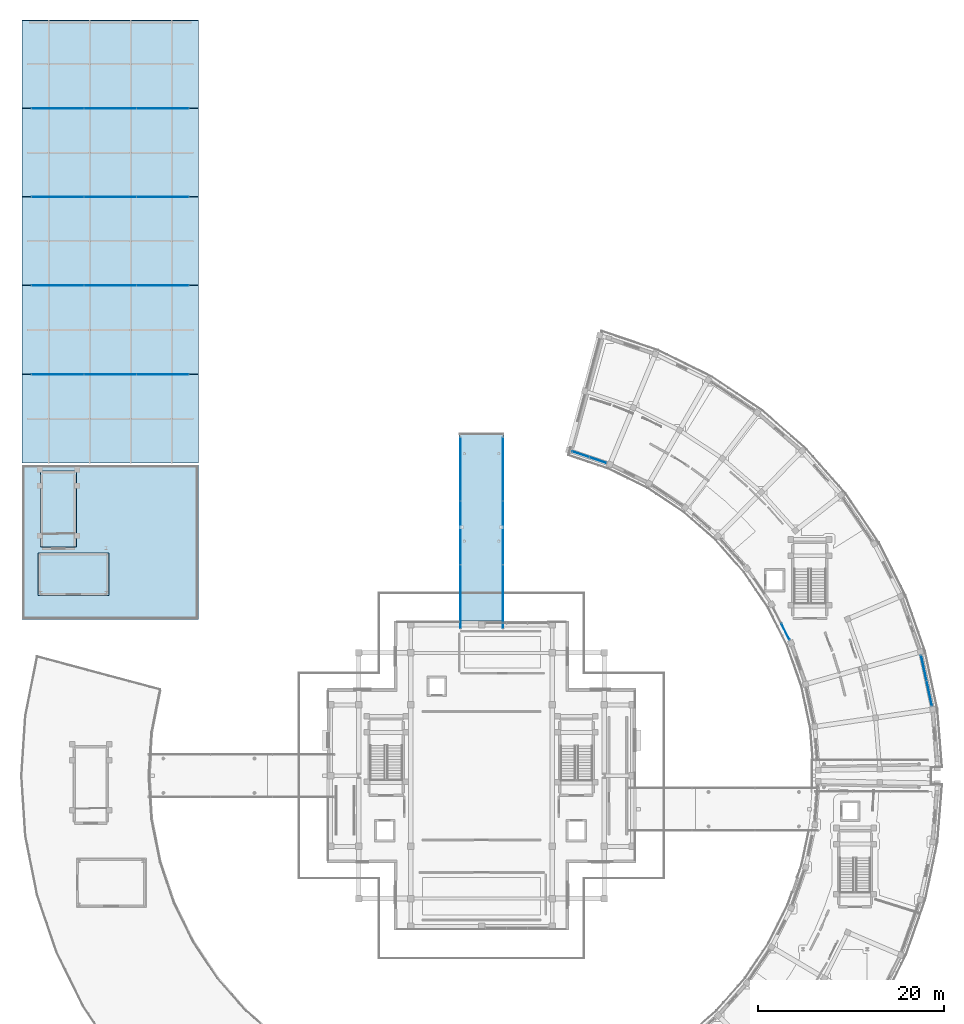
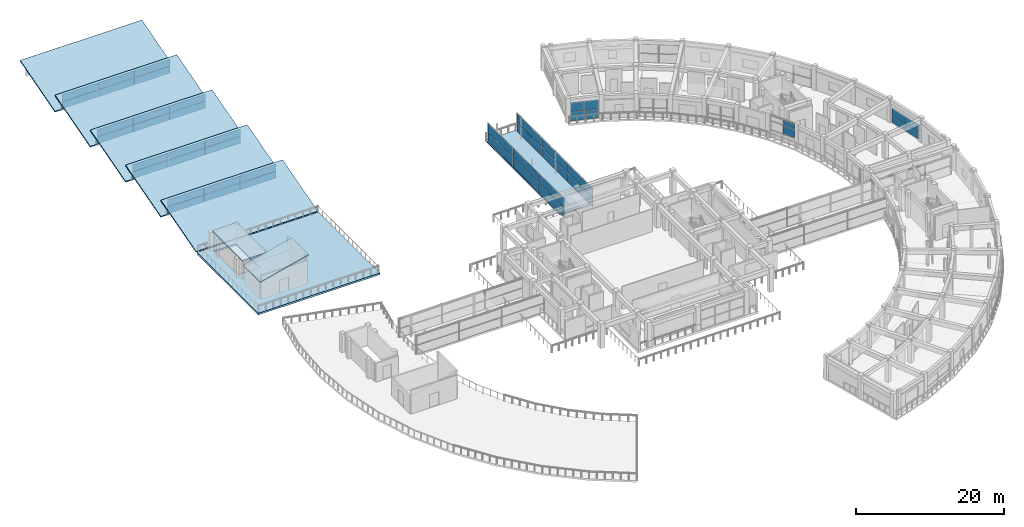
# One storey, part 30 of 53: 46 plates, 9 slabs, 9 elements without a shape of their own.
"""IFC4 building model written with IfcOpenShell, lengths in metres."""

from ifc_helpers import new_model, si_unit, direction, frame, origin, origin_2d, place, context, subcontext, project, spatial, polyline, rectangle, outline, extrude, material, layer, layer_set, type_object, element, aggregate, save


model = new_model("IFC4")

# Units and contexts
model_context = context("Model", 3, precision=1e-05, world=origin(), true_north=direction((0.0, 1.0)))
body_context = subcontext(model_context, "Body", "Model", "MODEL_VIEW")
ifc_project = project(units=[si_unit("LENGTHUNIT", "METRE"), si_unit("AREAUNIT", "SQUARE_METRE"), si_unit("VOLUMEUNIT", "CUBIC_METRE"), si_unit("PLANEANGLEUNIT", "RADIAN"), si_unit("MASSUNIT", "GRAM", prefix="KILO")], contexts=[model_context])

# Site, building, storey
site_placement = place(None, origin())
site = spatial("IfcSite", under=ifc_project, at=site_placement, CompositionType="ELEMENT")
building_placement = place(site_placement, origin())
building = spatial("IfcBuilding", under=site, at=building_placement, Name="Saryqyr Civic Hall", CompositionType="ELEMENT")
storey_placement = place(building_placement, frame((0.0, 0.0, 21.300048828125)))
storey = spatial("IfcBuildingStorey", under=building, at=storey_placement, Name="L05", CompositionType="ELEMENT", Elevation=21.300048828125)

# Curtain wall, plates
ifc_material_1 = material(Name="Anodised aluminium and triple low-E glass", Category="aluminium")
curtain_wall_type_1 = type_object("IfcCurtainWallType", Name="ENV-CW-STD-03", PredefinedType="NOTDEFINED", material=ifc_material_1)
curtain_wall_1_placement = place(storey_placement, origin())
curtain_wall_1 = element("IfcCurtainWall", 1, at=curtain_wall_1_placement, inside=storey, type_object=curtain_wall_type_1, Name="Curtain wall V6-CWO-L05-01", PredefinedType="NOTDEFINED")
ifc_material_2 = material(Name="Triple low-E insulated glazing", Category="glass")
ifc_layer_1 = layer(ifc_material_2, 0.053955078125, Name="Triple low-E insulated glazing")
ifc_layer_set_1 = layer_set([ifc_layer_1], Name="Triple low-E insulated glazing")
plate_type = type_object("IfcPlateType", Name="ENV-CW-PNL-38", PredefinedType="CURTAIN_PANEL", material=ifc_layer_set_1)
plate_1_placement = place(storey_placement, frame((104.52783203125, 95.576904296875, 0.06005859375), z_axis=(0.0, 0.0, 1.0), x_axis=(0.208908324386, -0.97793522894, 0.0)))
plate_1 = element("IfcPlate", 2, at=plate_1_placement, type_object=plate_type, Name="CW-03 panel 1.1", PredefinedType="CURTAIN_PANEL", context=body_context, shape_type="SweptSolid", body=[
    extrude(rectangle(XDim=2.7265625, YDim=0.053955078125, at=origin_2d()), origin(), (0.0, 0.0, 1.0), 1.135009765625),
])
plate_2_placement = place(storey_placement, frame((104.52783203125, 95.576904296875, 1.2548828125), z_axis=(0.0, 0.0, 1.0), x_axis=(0.208908324386, -0.97793522894, 0.0)))
plate_2 = element("IfcPlate", 3, at=plate_2_placement, type_object=plate_type, Name="CW-03 panel 1.2", PredefinedType="CURTAIN_PANEL", context=body_context, shape_type="SweptSolid", body=[
    extrude(rectangle(XDim=2.7265625, YDim=0.053955078125, at=origin_2d()), origin(), (0.0, 0.0, 1.0), 1.135009765625),
])
plate_3_placement = place(storey_placement, frame((105.110107421875, 92.851806640625, 0.06005859375), z_axis=(0.0, 0.0, 1.0), x_axis=(0.208908324386, -0.97793522894, 0.0)))
plate_3 = element("IfcPlate", 4, at=plate_3_placement, type_object=plate_type, Name="CW-03 panel 2.1", PredefinedType="CURTAIN_PANEL", context=body_context, shape_type="SweptSolid", body=[
    extrude(rectangle(XDim=2.7265625, YDim=0.053955078125, at=origin_2d()), origin(), (0.0, 0.0, 1.0), 1.135009765625),
])
plate_4_placement = place(storey_placement, frame((105.110107421875, 92.851806640625, 1.2548828125), z_axis=(0.0, 0.0, 1.0), x_axis=(0.208908324386, -0.97793522894, 0.0)))
plate_4 = element("IfcPlate", 5, at=plate_4_placement, type_object=plate_type, Name="CW-03 panel 2.2", PredefinedType="CURTAIN_PANEL", context=body_context, shape_type="SweptSolid", body=[
    extrude(rectangle(XDim=2.7265625, YDim=0.053955078125, at=origin_2d()), origin(), (0.0, 0.0, 1.0), 1.135009765625),
])
aggregate(curtain_wall_1, [plate_1, plate_2, plate_3, plate_4])

curtain_wall_type_2 = type_object("IfcCurtainWallType", Name="ENV-CW-STD-48", PredefinedType="NOTDEFINED", material=ifc_material_1)
curtain_wall_2_placement = place(storey_placement, origin())
curtain_wall_2 = element("IfcCurtainWall", 6, at=curtain_wall_2_placement, inside=storey, type_object=curtain_wall_type_2, Name="Curtain wall V6-CWI-L05-03", PredefinedType="NOTDEFINED")
plate_5_placement = place(storey_placement, frame((89.66015625, 99.466552734375, 1.362060546875), z_axis=(0.0, 0.0, 1.0), x_axis=(-0.451909750219, 0.892063662334, 0.0)))
plate_5 = element("IfcPlate", 7, at=plate_5_placement, type_object=plate_type, Name="CW-48 panel 1.2", PredefinedType="CURTAIN_PANEL", context=body_context, shape_type="SweptSolid", body=[
    extrude(rectangle(XDim=1.866455078125, YDim=0.053955078125, at=origin_2d()), origin(), (0.0, 0.0, 1.0), 1.419921875),
])
plate_6_placement = place(storey_placement, frame((89.66015625, 99.466552734375, 2.841796875), z_axis=(0.0, 0.0, 1.0), x_axis=(-0.451909750219, 0.892063662334, 0.0)))
plate_6 = element("IfcPlate", 8, at=plate_6_placement, type_object=plate_type, Name="CW-48 panel 1.3", PredefinedType="CURTAIN_PANEL", context=body_context, shape_type="SweptSolid", body=[
    extrude(rectangle(XDim=1.866455078125, YDim=0.053955078125, at=origin_2d()), origin(), (0.0, 0.0, 1.0), 0.798095703125),
])
aggregate(curtain_wall_2, [plate_5, plate_6])

curtain_wall_type_3 = type_object("IfcCurtainWallType", Name="ENV-CW-STD-21", PredefinedType="NOTDEFINED", material=ifc_material_1)
curtain_wall_3_placement = place(storey_placement, origin())
curtain_wall_3 = element("IfcCurtainWall", 9, at=curtain_wall_3_placement, inside=storey, type_object=curtain_wall_type_3, Name="Curtain wall V6-CWI-L05-09", PredefinedType="NOTDEFINED")
plate_7_placement = place(storey_placement, frame((69.50634765625, 117.904541015625, 0.06005859375), z_axis=(0.0, 0.0, 1.0), x_axis=(-0.947202392558, 0.320636285428, 0.0)))
plate_7 = element("IfcPlate", 10, at=plate_7_placement, type_object=plate_type, Name="CW-21 panel 1.1", PredefinedType="CURTAIN_PANEL", context=body_context, shape_type="SweptSolid", body=[
    extrude(rectangle(XDim=1.888671875, YDim=0.053955078125, at=origin_2d()), origin(), (0.0, 0.0, 1.0), 1.492919921875),
])
plate_8_placement = place(storey_placement, frame((69.50634765625, 117.904541015625, 1.61279296875), z_axis=(0.0, 0.0, 1.0), x_axis=(-0.947202392558, 0.320636285428, 0.0)))
plate_8 = element("IfcPlate", 11, at=plate_8_placement, type_object=plate_type, Name="CW-21 panel 1.2", PredefinedType="CURTAIN_PANEL", context=body_context, shape_type="SweptSolid", body=[
    extrude(rectangle(XDim=1.888671875, YDim=0.053955078125, at=origin_2d()), origin(), (0.0, 0.0, 1.0), 1.491943359375),
])
plate_9_placement = place(storey_placement, frame((67.66064453125, 118.529296875, 0.06005859375), z_axis=(0.0, 0.0, 1.0), x_axis=(-0.947202392558, 0.320636285428, 0.0)))
plate_9 = element("IfcPlate", 12, at=plate_9_placement, type_object=plate_type, Name="CW-21 panel 2.1", PredefinedType="CURTAIN_PANEL", context=body_context, shape_type="SweptSolid", body=[
    extrude(rectangle(XDim=1.888671875, YDim=0.053955078125, at=origin_2d()), origin(), (0.0, 0.0, 1.0), 1.492919921875),
])
plate_10_placement = place(storey_placement, frame((67.66064453125, 118.529296875, 1.61279296875), z_axis=(0.0, 0.0, 1.0), x_axis=(-0.947202392558, 0.320636285428, 0.0)))
plate_10 = element("IfcPlate", 13, at=plate_10_placement, type_object=plate_type, Name="CW-21 panel 2.2", PredefinedType="CURTAIN_PANEL", context=body_context, shape_type="SweptSolid", body=[
    extrude(rectangle(XDim=1.888671875, YDim=0.053955078125, at=origin_2d()), origin(), (0.0, 0.0, 1.0), 1.491943359375),
])
aggregate(curtain_wall_3, [plate_7, plate_8, plate_9, plate_10])

curtain_wall_type_4 = type_object("IfcCurtainWallType", Name="ENV-CW-STD-58", PredefinedType="NOTDEFINED", material=ifc_material_1)
curtain_wall_4_placement = place(storey_placement, origin())
curtain_wall_4 = element("IfcCurtainWall", 14, at=curtain_wall_4_placement, inside=storey, type_object=curtain_wall_type_4, Name="Curtain wall V3-SAW-CW-1", PredefinedType="NOTDEFINED")
plate_11_placement = place(storey_placement, frame((22.751708984375, 127.1298828125, 0.06005859375), z_axis=(0.0, 0.0, 1.0), x_axis=(-1.0, 0.0, 0.0)))
plate_11 = element("IfcPlate", 15, at=plate_11_placement, type_object=plate_type, Name="CW-58 panel 1.1", PredefinedType="CURTAIN_PANEL", context=body_context, shape_type="SweptSolid", body=[
    extrude(rectangle(XDim=5.57666015625, YDim=0.053955078125, at=origin_2d()), origin(), (0.0, 0.0, 1.0), 1.135009765625),
])
plate_12_placement = place(storey_placement, frame((22.751708984375, 127.1298828125, 1.2548828125), z_axis=(0.0, 0.0, 1.0), x_axis=(-1.0, 0.0, 0.0)))
plate_12 = element("IfcPlate", 16, at=plate_12_placement, type_object=plate_type, Name="CW-58 panel 1.2", PredefinedType="CURTAIN_PANEL", context=body_context, shape_type="SweptSolid", body=[
    extrude(rectangle(XDim=5.57666015625, YDim=0.053955078125, at=origin_2d()), origin(), (0.0, 0.0, 1.0), 1.135009765625),
])
plate_13_placement = place(storey_placement, frame((17.10009765625, 127.1298828125, 0.06005859375), z_axis=(0.0, 0.0, 1.0), x_axis=(-1.0, 0.0, 0.0)))
plate_13 = element("IfcPlate", 17, at=plate_13_placement, type_object=plate_type, Name="CW-58 panel 2.1", PredefinedType="CURTAIN_PANEL", context=body_context, shape_type="SweptSolid", body=[
    extrude(rectangle(XDim=5.606689453125, YDim=0.053955078125, at=origin_2d()), origin(), (0.0, 0.0, 1.0), 1.135009765625),
])
plate_14_placement = place(storey_placement, frame((17.10009765625, 127.1298828125, 1.2548828125), z_axis=(0.0, 0.0, 1.0), x_axis=(-1.0, 0.0, 0.0)))
plate_14 = element("IfcPlate", 18, at=plate_14_placement, type_object=plate_type, Name="CW-58 panel 2.2", PredefinedType="CURTAIN_PANEL", context=body_context, shape_type="SweptSolid", body=[
    extrude(rectangle(XDim=5.606689453125, YDim=0.053955078125, at=origin_2d()), origin(), (0.0, 0.0, 1.0), 1.135009765625),
])
plate_15_placement = place(storey_placement, frame((11.4482421875, 127.1298828125, 0.06005859375), z_axis=(0.0, 0.0, 1.0), x_axis=(-1.0, 0.0, 0.0)))
plate_15 = element("IfcPlate", 19, at=plate_15_placement, type_object=plate_type, Name="CW-58 panel 3.1", PredefinedType="CURTAIN_PANEL", context=body_context, shape_type="SweptSolid", body=[
    extrude(rectangle(XDim=5.57666015625, YDim=0.053955078125, at=origin_2d()), origin(), (0.0, 0.0, 1.0), 1.135009765625),
])
plate_16_placement = place(storey_placement, frame((11.4482421875, 127.1298828125, 1.2548828125), z_axis=(0.0, 0.0, 1.0), x_axis=(-1.0, 0.0, 0.0)))
plate_16 = element("IfcPlate", 20, at=plate_16_placement, type_object=plate_type, Name="CW-58 panel 3.2", PredefinedType="CURTAIN_PANEL", context=body_context, shape_type="SweptSolid", body=[
    extrude(rectangle(XDim=5.57666015625, YDim=0.053955078125, at=origin_2d()), origin(), (0.0, 0.0, 1.0), 1.135009765625),
])
aggregate(curtain_wall_4, [plate_11, plate_12, plate_13, plate_14, plate_15, plate_16])

curtain_wall_5_placement = place(storey_placement, origin())
curtain_wall_5 = element("IfcCurtainWall", 21, at=curtain_wall_5_placement, inside=storey, type_object=curtain_wall_type_4, Name="Curtain wall V3-SAW-CW-2", PredefinedType="NOTDEFINED")
plate_17_placement = place(storey_placement, frame((22.751708984375, 136.659912109375, 0.06005859375), z_axis=(0.0, 0.0, 1.0), x_axis=(-1.0, 0.0, 0.0)))
plate_17 = element("IfcPlate", 22, at=plate_17_placement, type_object=plate_type, Name="CW-58 panel 1.1", PredefinedType="CURTAIN_PANEL", context=body_context, shape_type="SweptSolid", body=[
    extrude(rectangle(XDim=5.57666015625, YDim=0.053955078125, at=origin_2d()), origin(), (0.0, 0.0, 1.0), 1.135009765625),
])
plate_18_placement = place(storey_placement, frame((22.751708984375, 136.659912109375, 1.2548828125), z_axis=(0.0, 0.0, 1.0), x_axis=(-1.0, 0.0, 0.0)))
plate_18 = element("IfcPlate", 23, at=plate_18_placement, type_object=plate_type, Name="CW-58 panel 1.2", PredefinedType="CURTAIN_PANEL", context=body_context, shape_type="SweptSolid", body=[
    extrude(rectangle(XDim=5.57666015625, YDim=0.053955078125, at=origin_2d()), origin(), (0.0, 0.0, 1.0), 1.135009765625),
])
plate_19_placement = place(storey_placement, frame((17.10009765625, 136.659912109375, 0.06005859375), z_axis=(0.0, 0.0, 1.0), x_axis=(-1.0, 0.0, 0.0)))
plate_19 = element("IfcPlate", 24, at=plate_19_placement, type_object=plate_type, Name="CW-58 panel 2.1", PredefinedType="CURTAIN_PANEL", context=body_context, shape_type="SweptSolid", body=[
    extrude(rectangle(XDim=5.606689453125, YDim=0.053955078125, at=origin_2d()), origin(), (0.0, 0.0, 1.0), 1.135009765625),
])
plate_20_placement = place(storey_placement, frame((17.10009765625, 136.659912109375, 1.2548828125), z_axis=(0.0, 0.0, 1.0), x_axis=(-1.0, 0.0, 0.0)))
plate_20 = element("IfcPlate", 25, at=plate_20_placement, type_object=plate_type, Name="CW-58 panel 2.2", PredefinedType="CURTAIN_PANEL", context=body_context, shape_type="SweptSolid", body=[
    extrude(rectangle(XDim=5.606689453125, YDim=0.053955078125, at=origin_2d()), origin(), (0.0, 0.0, 1.0), 1.135009765625),
])
plate_21_placement = place(storey_placement, frame((11.4482421875, 136.659912109375, 0.06005859375), z_axis=(0.0, 0.0, 1.0), x_axis=(-1.0, 0.0, 0.0)))
plate_21 = element("IfcPlate", 26, at=plate_21_placement, type_object=plate_type, Name="CW-58 panel 3.1", PredefinedType="CURTAIN_PANEL", context=body_context, shape_type="SweptSolid", body=[
    extrude(rectangle(XDim=5.57666015625, YDim=0.053955078125, at=origin_2d()), origin(), (0.0, 0.0, 1.0), 1.135009765625),
])
plate_22_placement = place(storey_placement, frame((11.4482421875, 136.659912109375, 1.2548828125), z_axis=(0.0, 0.0, 1.0), x_axis=(-1.0, 0.0, 0.0)))
plate_22 = element("IfcPlate", 27, at=plate_22_placement, type_object=plate_type, Name="CW-58 panel 3.2", PredefinedType="CURTAIN_PANEL", context=body_context, shape_type="SweptSolid", body=[
    extrude(rectangle(XDim=5.57666015625, YDim=0.053955078125, at=origin_2d()), origin(), (0.0, 0.0, 1.0), 1.135009765625),
])
aggregate(curtain_wall_5, [plate_17, plate_18, plate_19, plate_20, plate_21, plate_22])

curtain_wall_6_placement = place(storey_placement, origin())
curtain_wall_6 = element("IfcCurtainWall", 28, at=curtain_wall_6_placement, inside=storey, type_object=curtain_wall_type_4, Name="Curtain wall V3-SAW-CW-3", PredefinedType="NOTDEFINED")
plate_23_placement = place(storey_placement, frame((11.4482421875, 146.18994140625, 0.06005859375), z_axis=(0.0, 0.0, 1.0), x_axis=(1.0, 0.0, 0.0)))
plate_23 = element("IfcPlate", 29, at=plate_23_placement, type_object=plate_type, Name="CW-58 panel 1.1", PredefinedType="CURTAIN_PANEL", context=body_context, shape_type="SweptSolid", body=[
    extrude(rectangle(XDim=5.57666015625, YDim=0.053955078125, at=origin_2d()), origin(), (0.0, 0.0, 1.0), 1.135009765625),
])
plate_24_placement = place(storey_placement, frame((11.4482421875, 146.18994140625, 1.2548828125), z_axis=(0.0, 0.0, 1.0), x_axis=(1.0, 0.0, 0.0)))
plate_24 = element("IfcPlate", 30, at=plate_24_placement, type_object=plate_type, Name="CW-58 panel 1.2", PredefinedType="CURTAIN_PANEL", context=body_context, shape_type="SweptSolid", body=[
    extrude(rectangle(XDim=5.57666015625, YDim=0.053955078125, at=origin_2d()), origin(), (0.0, 0.0, 1.0), 1.135009765625),
])
plate_25_placement = place(storey_placement, frame((17.10009765625, 146.18994140625, 0.06005859375), z_axis=(0.0, 0.0, 1.0), x_axis=(1.0, 0.0, 0.0)))
plate_25 = element("IfcPlate", 31, at=plate_25_placement, type_object=plate_type, Name="CW-58 panel 2.1", PredefinedType="CURTAIN_PANEL", context=body_context, shape_type="SweptSolid", body=[
    extrude(rectangle(XDim=5.606689453125, YDim=0.053955078125, at=origin_2d()), origin(), (0.0, 0.0, 1.0), 1.135009765625),
])
plate_26_placement = place(storey_placement, frame((17.10009765625, 146.18994140625, 1.2548828125), z_axis=(0.0, 0.0, 1.0), x_axis=(1.0, 0.0, 0.0)))
plate_26 = element("IfcPlate", 32, at=plate_26_placement, type_object=plate_type, Name="CW-58 panel 2.2", PredefinedType="CURTAIN_PANEL", context=body_context, shape_type="SweptSolid", body=[
    extrude(rectangle(XDim=5.606689453125, YDim=0.053955078125, at=origin_2d()), origin(), (0.0, 0.0, 1.0), 1.135009765625),
])
plate_27_placement = place(storey_placement, frame((22.751708984375, 146.18994140625, 0.06005859375), z_axis=(0.0, 0.0, 1.0), x_axis=(1.0, 0.0, 0.0)))
plate_27 = element("IfcPlate", 33, at=plate_27_placement, type_object=plate_type, Name="CW-58 panel 3.1", PredefinedType="CURTAIN_PANEL", context=body_context, shape_type="SweptSolid", body=[
    extrude(rectangle(XDim=5.57666015625, YDim=0.053955078125, at=origin_2d()), origin(), (0.0, 0.0, 1.0), 1.135009765625),
])
plate_28_placement = place(storey_placement, frame((22.751708984375, 146.18994140625, 1.2548828125), z_axis=(0.0, 0.0, 1.0), x_axis=(1.0, 0.0, 0.0)))
plate_28 = element("IfcPlate", 34, at=plate_28_placement, type_object=plate_type, Name="CW-58 panel 3.2", PredefinedType="CURTAIN_PANEL", context=body_context, shape_type="SweptSolid", body=[
    extrude(rectangle(XDim=5.57666015625, YDim=0.053955078125, at=origin_2d()), origin(), (0.0, 0.0, 1.0), 1.135009765625),
])
aggregate(curtain_wall_6, [plate_23, plate_24, plate_25, plate_26, plate_27, plate_28])

curtain_wall_7_placement = place(storey_placement, origin())
curtain_wall_7 = element("IfcCurtainWall", 35, at=curtain_wall_7_placement, inside=storey, type_object=curtain_wall_type_4, Name="Curtain wall V3-SAW-CW-4", PredefinedType="NOTDEFINED")
plate_29_placement = place(storey_placement, frame((11.4482421875, 155.719970703125, 0.06005859375), z_axis=(0.0, 0.0, 1.0), x_axis=(1.0, 0.0, 0.0)))
plate_29 = element("IfcPlate", 36, at=plate_29_placement, type_object=plate_type, Name="CW-58 panel 1.1", PredefinedType="CURTAIN_PANEL", context=body_context, shape_type="SweptSolid", body=[
    extrude(rectangle(XDim=5.57666015625, YDim=0.053955078125, at=origin_2d()), origin(), (0.0, 0.0, 1.0), 1.135009765625),
])
plate_30_placement = place(storey_placement, frame((11.4482421875, 155.719970703125, 1.2548828125), z_axis=(0.0, 0.0, 1.0), x_axis=(1.0, 0.0, 0.0)))
plate_30 = element("IfcPlate", 37, at=plate_30_placement, type_object=plate_type, Name="CW-58 panel 1.2", PredefinedType="CURTAIN_PANEL", context=body_context, shape_type="SweptSolid", body=[
    extrude(rectangle(XDim=5.57666015625, YDim=0.053955078125, at=origin_2d()), origin(), (0.0, 0.0, 1.0), 1.135009765625),
])
plate_31_placement = place(storey_placement, frame((17.10009765625, 155.719970703125, 0.06005859375), z_axis=(0.0, 0.0, 1.0), x_axis=(1.0, 0.0, 0.0)))
plate_31 = element("IfcPlate", 38, at=plate_31_placement, type_object=plate_type, Name="CW-58 panel 2.1", PredefinedType="CURTAIN_PANEL", context=body_context, shape_type="SweptSolid", body=[
    extrude(rectangle(XDim=5.606689453125, YDim=0.053955078125, at=origin_2d()), origin(), (0.0, 0.0, 1.0), 1.135009765625),
])
plate_32_placement = place(storey_placement, frame((17.10009765625, 155.719970703125, 1.2548828125), z_axis=(0.0, 0.0, 1.0), x_axis=(1.0, 0.0, 0.0)))
plate_32 = element("IfcPlate", 39, at=plate_32_placement, type_object=plate_type, Name="CW-58 panel 2.2", PredefinedType="CURTAIN_PANEL", context=body_context, shape_type="SweptSolid", body=[
    extrude(rectangle(XDim=5.606689453125, YDim=0.053955078125, at=origin_2d()), origin(), (0.0, 0.0, 1.0), 1.135009765625),
])
plate_33_placement = place(storey_placement, frame((22.751708984375, 155.719970703125, 0.06005859375), z_axis=(0.0, 0.0, 1.0), x_axis=(1.0, 0.0, 0.0)))
plate_33 = element("IfcPlate", 40, at=plate_33_placement, type_object=plate_type, Name="CW-58 panel 3.1", PredefinedType="CURTAIN_PANEL", context=body_context, shape_type="SweptSolid", body=[
    extrude(rectangle(XDim=5.57666015625, YDim=0.053955078125, at=origin_2d()), origin(), (0.0, 0.0, 1.0), 1.135009765625),
])
plate_34_placement = place(storey_placement, frame((22.751708984375, 155.719970703125, 1.2548828125), z_axis=(0.0, 0.0, 1.0), x_axis=(1.0, 0.0, 0.0)))
plate_34 = element("IfcPlate", 41, at=plate_34_placement, type_object=plate_type, Name="CW-58 panel 3.2", PredefinedType="CURTAIN_PANEL", context=body_context, shape_type="SweptSolid", body=[
    extrude(rectangle(XDim=5.57666015625, YDim=0.053955078125, at=origin_2d()), origin(), (0.0, 0.0, 1.0), 1.135009765625),
])
aggregate(curtain_wall_7, [plate_29, plate_30, plate_31, plate_32, plate_33, plate_34])

curtain_wall_type_5 = type_object("IfcCurtainWallType", Name="ENV-CW-STD-88", PredefinedType="NOTDEFINED", material=ifc_material_1)
curtain_wall_8_placement = place(storey_placement, origin())
curtain_wall_8 = element("IfcCurtainWall", 42, at=curtain_wall_8_placement, inside=storey, type_object=curtain_wall_type_5, Name="Curtain wall BR-CN-CW1-L05", PredefinedType="NOTDEFINED")
plate_35_placement = place(storey_placement, frame((54.719970703125, 103.248291015625, 0.06005859375), z_axis=(0.0, 0.0, 1.0), x_axis=(0.0, 1.0, 0.0)))
plate_35 = element("IfcPlate", 43, at=plate_35_placement, type_object=plate_type, Name="CW-88 panel 1.1", PredefinedType="CURTAIN_PANEL", context=body_context, shape_type="SweptSolid", body=[
    extrude(rectangle(XDim=6.776611328125, YDim=0.053955078125, at=origin_2d()), origin(), (0.0, 0.0, 1.0), 1.4599609375),
])
plate_36_placement = place(storey_placement, frame((54.719970703125, 103.248291015625, 1.580078125), z_axis=(0.0, 0.0, 1.0), x_axis=(0.0, 1.0, 0.0)))
plate_36 = element("IfcPlate", 44, at=plate_36_placement, type_object=plate_type, Name="CW-88 panel 1.2", PredefinedType="CURTAIN_PANEL", context=body_context, shape_type="SweptSolid", body=[
    extrude(rectangle(XDim=6.776611328125, YDim=0.053955078125, at=origin_2d()), origin(), (0.0, 0.0, 1.0), 1.4599609375),
])
plate_37_placement = place(storey_placement, frame((54.719970703125, 110.10009765625, 0.06005859375), z_axis=(0.0, 0.0, 1.0), x_axis=(0.0, 1.0, 0.0)))
plate_37 = element("IfcPlate", 45, at=plate_37_placement, type_object=plate_type, Name="CW-88 panel 2.1", PredefinedType="CURTAIN_PANEL", context=body_context, shape_type="SweptSolid", body=[
    extrude(rectangle(XDim=6.806640625, YDim=0.053955078125, at=origin_2d()), origin(), (0.0, 0.0, 1.0), 1.4599609375),
])
plate_38_placement = place(storey_placement, frame((54.719970703125, 110.10009765625, 1.580078125), z_axis=(0.0, 0.0, 1.0), x_axis=(0.0, 1.0, 0.0)))
plate_38 = element("IfcPlate", 46, at=plate_38_placement, type_object=plate_type, Name="CW-88 panel 2.2", PredefinedType="CURTAIN_PANEL", context=body_context, shape_type="SweptSolid", body=[
    extrude(rectangle(XDim=6.806640625, YDim=0.053955078125, at=origin_2d()), origin(), (0.0, 0.0, 1.0), 1.4599609375),
])
plate_39_placement = place(storey_placement, frame((54.719970703125, 116.95166015625, 0.06005859375), z_axis=(0.0, 0.0, 1.0), x_axis=(0.0, 1.0, 0.0)))
plate_39 = element("IfcPlate", 47, at=plate_39_placement, type_object=plate_type, Name="CW-88 panel 3.1", PredefinedType="CURTAIN_PANEL", context=body_context, shape_type="SweptSolid", body=[
    extrude(rectangle(XDim=6.776611328125, YDim=0.053955078125, at=origin_2d()), origin(), (0.0, 0.0, 1.0), 1.4599609375),
])
plate_40_placement = place(storey_placement, frame((54.719970703125, 116.95166015625, 1.580078125), z_axis=(0.0, 0.0, 1.0), x_axis=(0.0, 1.0, 0.0)))
plate_40 = element("IfcPlate", 48, at=plate_40_placement, type_object=plate_type, Name="CW-88 panel 3.2", PredefinedType="CURTAIN_PANEL", context=body_context, shape_type="SweptSolid", body=[
    extrude(rectangle(XDim=6.776611328125, YDim=0.053955078125, at=origin_2d()), origin(), (0.0, 0.0, 1.0), 1.4599609375),
])
aggregate(curtain_wall_8, [plate_35, plate_36, plate_37, plate_38, plate_39, plate_40])

curtain_wall_9_placement = place(storey_placement, origin())
curtain_wall_9 = element("IfcCurtainWall", 49, at=curtain_wall_9_placement, inside=storey, type_object=curtain_wall_type_5, Name="Curtain wall BR-CN-CW2-L05", PredefinedType="NOTDEFINED")
plate_41_placement = place(storey_placement, frame((59.280029296875, 116.95166015625, 0.06005859375), z_axis=(0.0, 0.0, 1.0), x_axis=(0.0, -1.0, 0.0)))
plate_41 = element("IfcPlate", 50, at=plate_41_placement, type_object=plate_type, Name="CW-88 panel 1.1", PredefinedType="CURTAIN_PANEL", context=body_context, shape_type="SweptSolid", body=[
    extrude(rectangle(XDim=6.776611328125, YDim=0.053955078125, at=origin_2d()), origin(), (0.0, 0.0, 1.0), 1.4599609375),
])
plate_42_placement = place(storey_placement, frame((59.280029296875, 116.95166015625, 1.580078125), z_axis=(0.0, 0.0, 1.0), x_axis=(0.0, -1.0, 0.0)))
plate_42 = element("IfcPlate", 51, at=plate_42_placement, type_object=plate_type, Name="CW-88 panel 1.2", PredefinedType="CURTAIN_PANEL", context=body_context, shape_type="SweptSolid", body=[
    extrude(rectangle(XDim=6.776611328125, YDim=0.053955078125, at=origin_2d()), origin(), (0.0, 0.0, 1.0), 1.4599609375),
])
plate_43_placement = place(storey_placement, frame((59.280029296875, 110.10009765625, 0.06005859375), z_axis=(0.0, 0.0, 1.0), x_axis=(0.0, -1.0, 0.0)))
plate_43 = element("IfcPlate", 52, at=plate_43_placement, type_object=plate_type, Name="CW-88 panel 2.1", PredefinedType="CURTAIN_PANEL", context=body_context, shape_type="SweptSolid", body=[
    extrude(rectangle(XDim=6.806640625, YDim=0.053955078125, at=origin_2d()), origin(), (0.0, 0.0, 1.0), 1.4599609375),
])
plate_44_placement = place(storey_placement, frame((59.280029296875, 110.10009765625, 1.580078125), z_axis=(0.0, 0.0, 1.0), x_axis=(0.0, -1.0, 0.0)))
plate_44 = element("IfcPlate", 53, at=plate_44_placement, type_object=plate_type, Name="CW-88 panel 2.2", PredefinedType="CURTAIN_PANEL", context=body_context, shape_type="SweptSolid", body=[
    extrude(rectangle(XDim=6.806640625, YDim=0.053955078125, at=origin_2d()), origin(), (0.0, 0.0, 1.0), 1.4599609375),
])
plate_45_placement = place(storey_placement, frame((59.280029296875, 103.248291015625, 0.06005859375), z_axis=(0.0, 0.0, 1.0), x_axis=(0.0, -1.0, 0.0)))
plate_45 = element("IfcPlate", 54, at=plate_45_placement, type_object=plate_type, Name="CW-88 panel 3.1", PredefinedType="CURTAIN_PANEL", context=body_context, shape_type="SweptSolid", body=[
    extrude(rectangle(XDim=6.776611328125, YDim=0.053955078125, at=origin_2d()), origin(), (0.0, 0.0, 1.0), 1.4599609375),
])
plate_46_placement = place(storey_placement, frame((59.280029296875, 103.248291015625, 1.580078125), z_axis=(0.0, 0.0, 1.0), x_axis=(0.0, -1.0, 0.0)))
plate_46 = element("IfcPlate", 55, at=plate_46_placement, type_object=plate_type, Name="CW-88 panel 3.2", PredefinedType="CURTAIN_PANEL", context=body_context, shape_type="SweptSolid", body=[
    extrude(rectangle(XDim=6.776611328125, YDim=0.053955078125, at=origin_2d()), origin(), (0.0, 0.0, 1.0), 1.4599609375),
])
aggregate(curtain_wall_9, [plate_41, plate_42, plate_43, plate_44, plate_45, plate_46])

# Slabs
ifc_material_3 = material(Name="Concrete C35/45", Category="concrete")
ifc_layer_2 = layer(ifc_material_3, 0.22998046875, Name="Concrete C35/45")
ifc_layer_set_2 = layer_set([ifc_layer_2], Name="Concrete C35/45")
slab_type_1 = type_object("IfcSlabType", Name="STR-SLB-FLR-230", PredefinedType="FLOOR", material=ifc_layer_set_2)
slab_1_placement = place(storey_placement, frame((0.0, 0.0, -0.22998046875)))
element("IfcSlab", 56, at=slab_1_placement, inside=storey, type_object=slab_type_1, Name="Slab SLB-BR-CN-L05", PredefinedType="FLOOR", context=body_context, shape_type="SweptSolid", body=[
    extrude(outline(polyline([(54.60009765625, 120.800048828125), (59.39990234375, 120.800048828125), (59.39990234375, 100.60009765625), (54.60009765625, 100.60009765625), (54.60009765625, 120.800048828125)])), origin(), (0.0, 0.0, 1.0), 0.22998046875),
])
ifc_material_4 = material(Name="Precast concrete C40/50", Category="concrete")
ifc_layer_3 = layer(ifc_material_4, 0.169921875, Name="Precast concrete C40/50")
ifc_layer_set_3 = layer_set([ifc_layer_3], Name="Precast concrete C40/50")
slab_type_2 = type_object("IfcSlabType", Name="STR-SLB-ROOF-170", PredefinedType="ROOF", material=ifc_layer_set_3)
slab_2_placement = place(storey_placement, frame((9.35009765625, 103.35009765625, 3.0), z_axis=(-0.241090219423, 0.0, 0.97050270793), x_axis=(0.97050270793, 0.0, 0.241090219423)))
element("IfcSlab", 57, at=slab_2_placement, inside=storey, type_object=slab_type_2, Name="Roof garden pavilion canopy RG-V3", PredefinedType="ROOF", context=body_context, shape_type="SweptSolid", body=[
    extrude(outline(polyline([(0.0, 0.0), (7.830842153793141, 0.0), (7.830842153793141, 4.599853515624999), (0.0, 4.599853515624999), (0.0, 0.0)])), origin(), (0.0, 0.0, -1.0), 0.169921875),
])
ifc_layer_4 = layer(ifc_material_4, 0.18994140625, Name="Precast concrete C40/50")
ifc_layer_set_4 = layer_set([ifc_layer_4], Name="Precast concrete C40/50")
slab_type_3 = type_object("IfcSlabType", Name="STR-SLB-ROOF-190", PredefinedType="ROOF", material=ifc_layer_set_4)
slab_3_placement = place(storey_placement, frame((7.60009765625, 117.60009765625, 0.0), z_axis=(0.0, -0.273523233578, 0.961865396349), x_axis=(1.0, 0.0, 0.0)))
element("IfcSlab", 58, at=slab_3_placement, inside=storey, type_object=slab_type_3, Name="Members Library north-light sawtooth roof slab 1", PredefinedType="ROOF", context=body_context, shape_type="SweptSolid", body=[
    extrude(outline(polyline([(0.0, 0.0), (19.0, 0.0), (19.0, 9.907607854929397), (0.0, 9.907607854929397), (0.0, 0.0)])), origin(), (0.0, 0.0, -1.0), 0.18994140625),
])
for number, where, z_axis, x_axis, name in (
    (59, (7.60009765625, 127.1298828125, 0.0), (0.0, -0.273516750669, 0.961867239853), (1.0, 0.0, 0.0), "Members Library north-light sawtooth roof slab 2"),
    (60, (7.60009765625, 136.659912109375, 0.0), (0.0, -0.273516750669, 0.961867239853), (1.0, 0.0, 0.0), "Members Library north-light sawtooth roof slab 3"),
    (61, (7.60009765625, 146.18994140625, 0.0), (0.0, -0.273516750669, 0.961867239853), (1.0, 0.0, 0.0), "Members Library north-light sawtooth roof slab 4"),
):
    element("IfcSlab", number, at=place(storey_placement, frame(where, z_axis=z_axis, x_axis=x_axis)), inside=storey, type_object=slab_type_3, Name=name, PredefinedType="ROOF", context=body_context, shape_type="SweptSolid", body=[
        extrude(outline(polyline([(0.0, 0.0), (19.0, 0.0), (19.0, 9.90784268557347), (0.0, 9.90784268557347), (0.0, 0.0)])), origin(), (0.0, 0.0, -1.0), 0.18994140625),
    ])
slab_4_placement = place(storey_placement, frame((7.60009765625, 155.719970703125, 0.0), z_axis=(0.0, -0.276199689611, 0.961100271282), x_axis=(1.0, 0.0, 0.0)))
element("IfcSlab", 62, at=slab_4_placement, inside=storey, type_object=slab_type_3, Name="Members Library north-light sawtooth roof slab 5", PredefinedType="ROOF", context=body_context, shape_type="SweptSolid", body=[
    extrude(outline(polyline([(0.0, 0.0), (19.0, 0.0), (19.0, 9.811600227773061), (0.0, 9.811600227773061), (0.0, 0.0)])), origin(), (0.0, 0.0, -1.0), 0.18994140625),
])
ifc_layer_5 = layer(ifc_material_3, 0.2099609375, Name="Concrete C35/45")
ifc_layer_set_5 = layer_set([ifc_layer_5], Name="Concrete C35/45")
slab_type_4 = type_object("IfcSlabType", Name="STR-SLB-ROOF-210", PredefinedType="ROOF", material=ifc_layer_set_5)
slab_5_placement = place(storey_placement, frame((0.0, 0.0, 3.099853515625)))
element("IfcSlab", 63, at=slab_5_placement, inside=storey, type_object=slab_type_4, Name="Stair headhouse roof slab ST-3", PredefinedType="ROOF", context=body_context, shape_type="SweptSolid", body=[
    extrude(outline(polyline([(13.449951171875, 108.550048828125), (13.449951171875, 116.75), (9.590087890625, 116.75), (9.590087890625, 108.550048828125), (13.449951171875, 108.550048828125)])), origin(), (0.0, 0.0, 1.0), 0.210205078125),
])
ifc_layer_6 = layer(ifc_material_3, 0.2900390625, Name="Concrete C35/45")
ifc_layer_set_6 = layer_set([ifc_layer_6], Name="Concrete C35/45")
slab_type_5 = type_object("IfcSlabType", Name="STR-SLB-TERR-290", PredefinedType="FLOOR", material=ifc_layer_set_6)
slab_6_placement = place(storey_placement, frame((0.0, 0.0, -0.2900390625)))
element("IfcSlab", 64, at=slab_6_placement, inside=storey, type_object=slab_type_5, Name="Slab SLB-V3-RG-L05", PredefinedType="FLOOR", context=body_context, shape_type="SweptSolid", body=[
    extrude(outline(polyline([(7.60009765625, 117.39990234375), (26.60009765625, 117.39990234375), (26.60009765625, 100.800048828125), (7.60009765625, 100.800048828125), (7.60009765625, 117.39990234375)]), holes=[polyline([(9.840087890625, 116.5), (9.840087890625, 110.080078125), (13.199951171875, 110.080078125), (13.199951171875, 116.5), (9.840087890625, 116.5)])]), origin(), (0.0, 0.0, 1.0), 0.2900390625),
])

save(model, "model.ifc")
